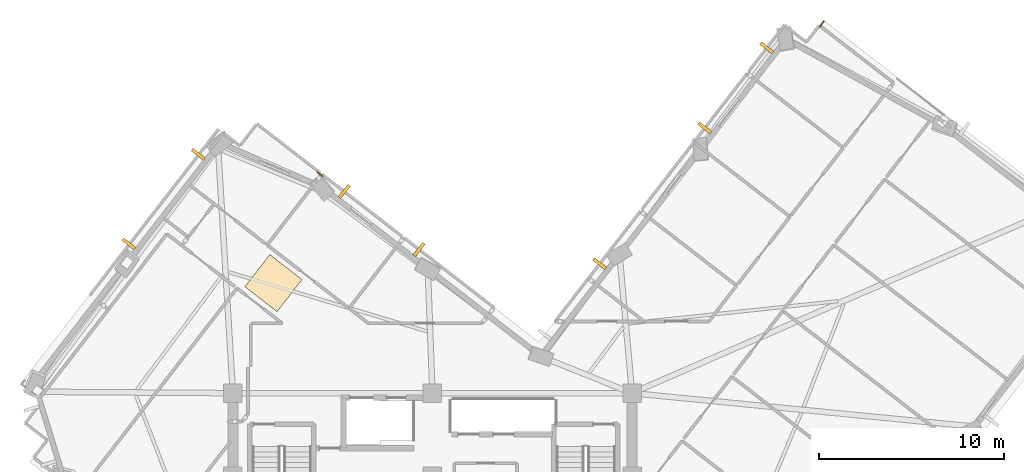
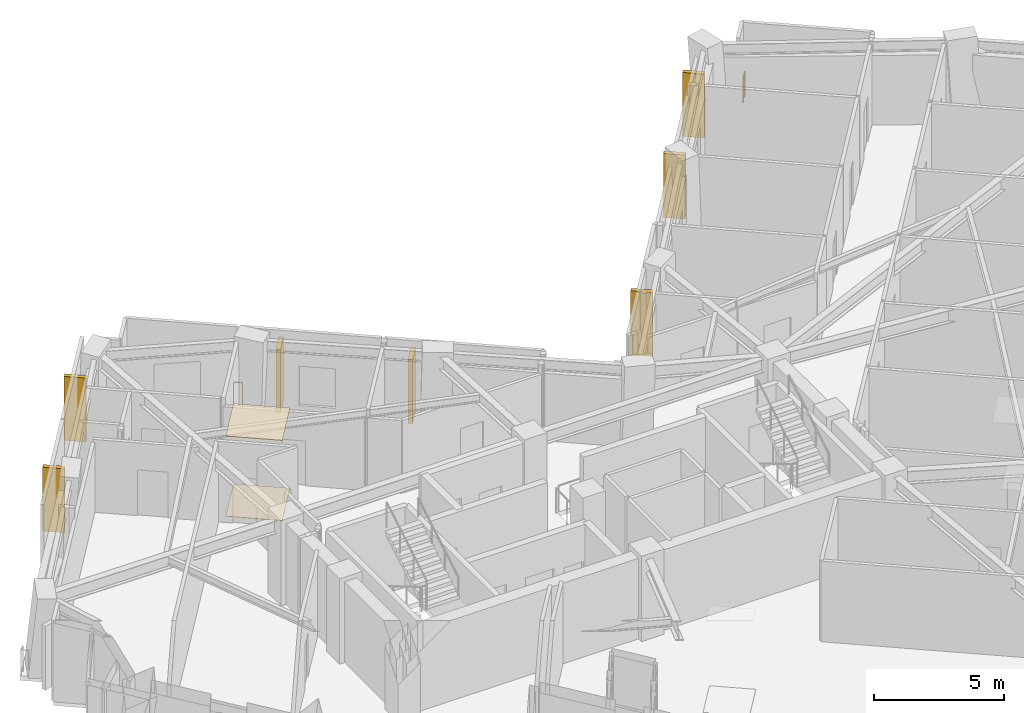
# One storey, part 11 of 12: 7 shading devices, 2 coverings, 2 railings.
"""IFC4 building model written with IfcOpenShell, lengths in metres."""

from ifc_helpers import new_model, si_unit, direction, frame, origin, origin_2d, place, context, subcontext, project, spatial, rectangle, circle, extrude, material, layer, layer_set, type_object, element, save


model = new_model("IFC4")

# Units and contexts
model_context = context("Model", 3, precision=1e-05, world=origin(), true_north=direction((0.0, 1.0)))
body_context = subcontext(model_context, "Body", "Model", "MODEL_VIEW")
ifc_project = project(units=[si_unit("LENGTHUNIT", "METRE"), si_unit("AREAUNIT", "SQUARE_METRE"), si_unit("VOLUMEUNIT", "CUBIC_METRE"), si_unit("PLANEANGLEUNIT", "RADIAN"), si_unit("MASSUNIT", "GRAM", prefix="KILO")], contexts=[model_context])

# Site, building, storey
site_placement = place(None, origin())
site = spatial("IfcSite", under=ifc_project, at=site_placement, CompositionType="ELEMENT")
building_placement = place(site_placement, origin())
building = spatial("IfcBuilding", under=site, at=building_placement, Name="Gaonmaruhae Medical Tower", CompositionType="ELEMENT")
storey_placement = place(building_placement, frame((0.0, 0.0, 247.199951171875)))
storey = spatial("IfcBuildingStorey", under=building, at=storey_placement, Name="L59", CompositionType="ELEMENT", Elevation=247.199951171875)

# Coverings
ifc_material_1 = material(Name="Acoustic mineral ceiling tile", Category="finish")
ifc_layer_1 = layer(ifc_material_1, 0.02490234375)
ifc_layer_set_1 = layer_set([ifc_layer_1], Name="Acoustic mineral ceiling tile")
covering_type_1 = type_object("IfcCoveringType", Name="CLG-01 Antimicrobial Acoustic Mineral Ceiling", PredefinedType="CEILING", material=ifc_layer_set_1)
covering_1_placement = place(storey_placement, frame((16.196044921875, 22.751220703125, 3.755126953125), z_axis=(0.0, 0.0, 1.0), x_axis=(0.612217280034, 0.790689573744, 0.0)))
element("IfcCovering", 1, at=covering_1_placement, inside=storey, type_object=covering_type_1, Name="L59 Clinical Corridor Acoustic Ceiling", PredefinedType="CEILING", context=body_context, shape_type="SweptSolid", body=[
    extrude(rectangle(XDim=2.199951171875, YDim=2.199951171875, at=origin_2d()), origin(), (0.0, 0.0, 1.0), 0.02490234375),
])
ifc_material_2 = material(Name="Seamless clinical vinyl flooring", Category="finish")
ifc_layer_2 = layer(ifc_material_2, 0.014892578125)
ifc_layer_set_2 = layer_set([ifc_layer_2], Name="Seamless clinical vinyl flooring")
covering_type_2 = type_object("IfcCoveringType", Name="FLR-01 Seamless Clinical Antistatic Vinyl Flooring", PredefinedType="FLOORING", material=ifc_layer_set_2)
covering_2_placement = place(storey_placement, frame((16.196044921875, 22.751220703125, 0.00048828125), z_axis=(0.0, 0.0, 1.0), x_axis=(0.612217280034, 0.790689573744, 0.0)))
element("IfcCovering", 2, at=covering_2_placement, inside=storey, type_object=covering_type_2, Name="L59 Clinical Corridor Vinyl Flooring", PredefinedType="FLOORING", context=body_context, shape_type="SweptSolid", body=[
    extrude(rectangle(XDim=2.199951171875, YDim=2.199951171875, at=origin_2d()), origin(), (0.0, 0.0, 1.0), 0.014892578125),
])

# Railings
ifc_material_3 = material(Name="Stainless steel 316L and laminated safety glass", Category="steel")
ifc_layer_3 = layer(ifc_material_3, 0.080078125)
ifc_layer_set_3 = layer_set([ifc_layer_3], Name="Stainless steel 316L and laminated safety glass")
railing_type = type_object("IfcRailingType", Name="GD-120 Outdoor Terrace Safety Glass & Steel Balustrade", PredefinedType="BALUSTRADE", material=ifc_layer_set_3)
railing_1_placement = place(storey_placement, frame((18.583984375, 28.749755859375, 0.0)))
element("IfcRailing", 3, at=railing_1_placement, inside=storey, type_object=railing_type, Name="L59 Perimeter Slab Edge Safety Balustrade 02", PredefinedType="BALUSTRADE", context=body_context, shape_type="SweptSolid", body=[
    extrude(circle(Radius=0.02392578125, at=origin_2d()), frame((0.0, 0.0, 1.17578125), z_axis=(0.790825007097, -0.612042325456, 0.0), x_axis=(0.612042325456, 0.790825007097, 0.0)), (0.0, 0.0, 1.0), 0.338623046875),
    extrude(circle(Radius=0.02099609375, at=origin_2d()), origin(), (0.0, 0.0, 1.0), 1.15185546875),
    extrude(circle(Radius=0.02099609375, at=origin_2d()), frame((0.267822265625, -0.207275390625, 0.0)), (0.0, 0.0, 1.0), 1.15185546875),
])
railing_2_placement = place(storey_placement, frame((45.7509765625, 36.6220703125, 0.0)))
element("IfcRailing", 4, at=railing_2_placement, inside=storey, type_object=railing_type, Name="L59 Perimeter Slab Edge Safety Balustrade 03", PredefinedType="BALUSTRADE", context=body_context, shape_type="SweptSolid", body=[
    extrude(circle(Radius=0.02392578125, at=origin_2d()), frame((0.0, 0.0, 1.17578125), z_axis=(0.612047987608, 0.790820624962, 0.0), x_axis=(-0.790820624962, 0.612047987608, 0.0)), (0.0, 0.0, 1.0), 0.393310546875),
    extrude(circle(Radius=0.02099609375, at=origin_2d()), origin(), (0.0, 0.0, 1.0), 1.15185546875),
    extrude(circle(Radius=0.02099609375, at=origin_2d()), frame((0.24072265625, 0.31103515625, 0.0)), (0.0, 0.0, 1.0), 1.15185546875),
])

# Shading devices
ifc_material_4 = material(Name="Pigmented coral precast concrete C45/55", Category="concrete")
shading_device_type = type_object("IfcShadingDeviceType", Name="SD-FIN1 Tower Vertical Coral Precast Shading Fin", PredefinedType="USERDEFINED", material=ifc_material_4)
for number, where, z_axis, x_axis, name in (
    (5, (39.5341796875, 31.149169921875, 0.132568359375), (0.0, 0.0, 1.0), (0.612203479805, 0.790700258831, 0.0), "L59 Vertical Coral Precast Shading Fin E03"),
    (6, (42.888916015625, 35.48193359375, 0.132568359375), (0.0, 0.0, 1.0), (0.612203479805, 0.790700258831, 0.0), "L59 Vertical Coral Precast Shading Fin E03B"),
    (7, (33.846923828125, 23.803955078125, 0.132568359375), (0.0, 0.0, 1.0), (0.612217280034, 0.790689573744, 0.0), "L59 Vertical Coral Precast Shading Fin EN02B"),
    (8, (20.029296875, 27.712890625, 0.132568359375), (0.0, 0.0, 1.0), (0.790689573744, -0.612217280034, 0.0), "L59 Vertical Coral Precast Shading Fin NE01"),
    (9, (24.0810546875, 24.57568359375, 0.132568359375), (0.0, 0.0, 1.0), (0.790689573744, -0.612217280034, 0.0), "L59 Vertical Coral Precast Shading Fin NE01B"),
    (10, (8.3701171875, 24.875244140625, 0.132568359375), (0.0, 0.0, 1.0), (0.612231080078, 0.790678888416, 0.0), "L59 Vertical Coral Precast Shading Fin N01"),
    (11, (12.125732421875, 29.7255859375, 0.132568359375), (0.0, 0.0, 1.0), (0.612231080078, 0.790678888416, 0.0), "L59 Vertical Coral Precast Shading Fin N01B"),
):
    element("IfcShadingDevice", number, at=place(storey_placement, frame(where, z_axis=z_axis, x_axis=x_axis)), inside=storey, type_object=shading_device_type, Name=name, ObjectType="FIN", PredefinedType="USERDEFINED", context=body_context, shape_type="SweptSolid", body=[
        extrude(rectangle(XDim=0.179931640625, YDim=0.85009765625, at=origin_2d()), origin(), (0.0, 0.0, 1.0), 3.0),
    ])

save(model, "model.ifc")
